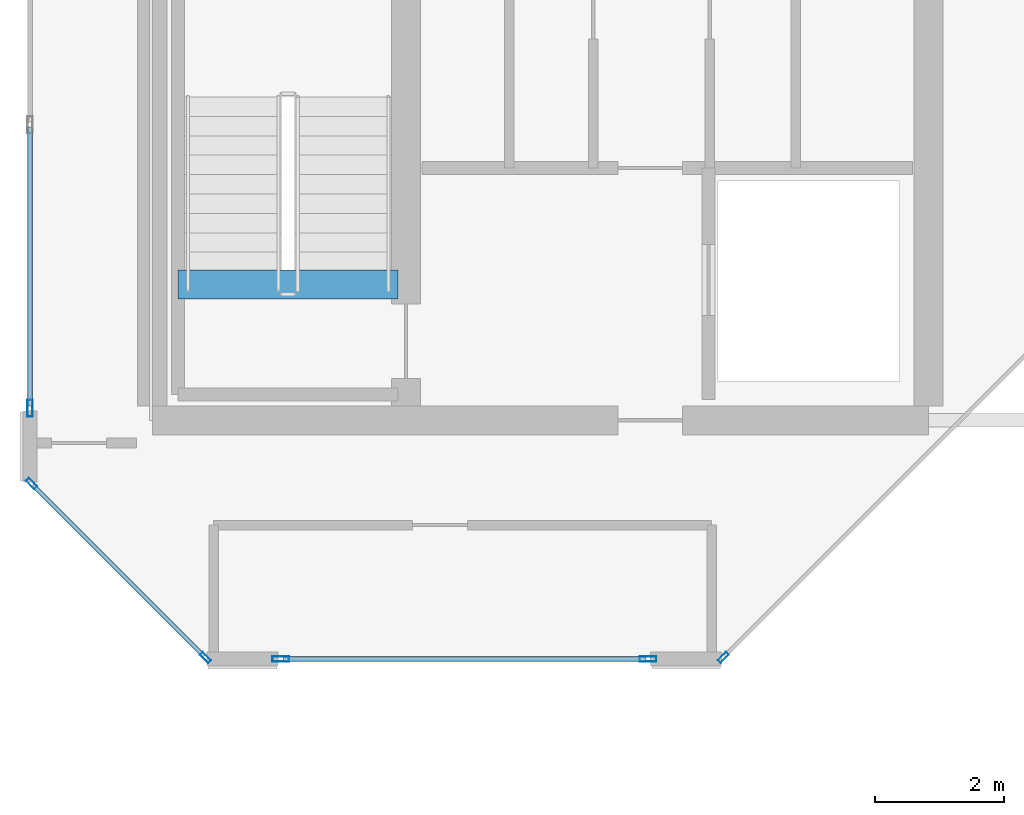
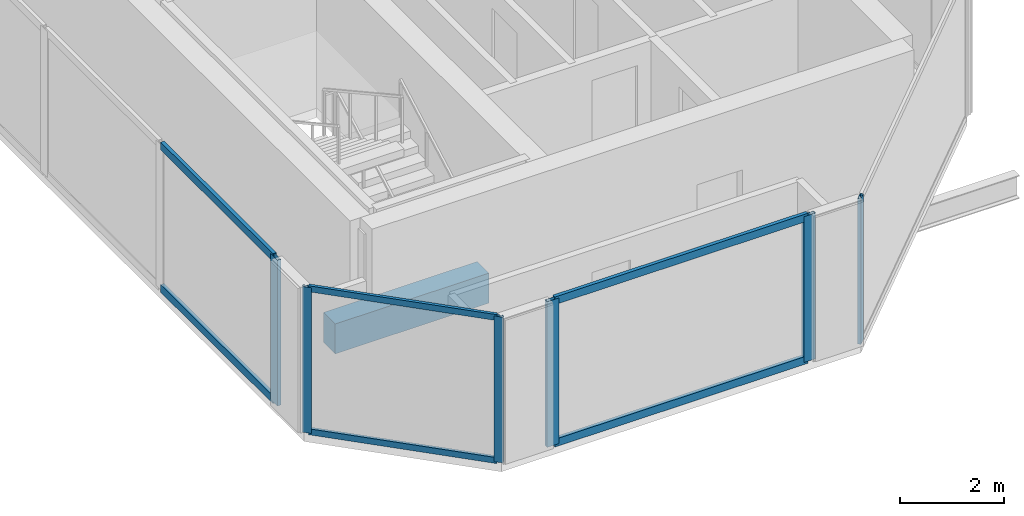
# One storey, part 2 of 30: 12 members, 1 beam, 4 elements without a shape of their own.
"""IFC4 building model written with IfcOpenShell, lengths in metres."""

import ifcopenshell
import ifcopenshell.guid

model = None  # the IFC model being written
_history = None  # IfcOwnerHistory: only IFC2X3 demands one
_inside = {}  # id of a spatial element -> (the spatial element, [elements in it])
_under = {}  # id of a project, library or spatial element -> (it, [spatial elements below it])
_declared = {}  # id of a project -> (the project, [libraries it declares])
_typed = {}  # id of a type object -> (the type object, [elements of that type])
_made_of = {}  # id of a material, layer set ... -> (it, [elements and type objects made of it])


def new_model(schema):
    """Start an empty IFC model of exactly this schema.

    Asked for "IFC4X3", IfcOpenShell would pick the latest addendum, in which some entities
    have other attributes; the version numbers below select the first issue.
    IFC2X3 requires an IfcOwnerHistory on every rooted entity: one is made here for all.
    """
    global model, _history
    if schema == "IFC4X3":
        model = ifcopenshell.file(schema_version=(4, 3, 0, 0))
    else:
        model = ifcopenshell.file(schema=schema)
    _inside.clear()
    _under.clear()
    _declared.clear()
    _typed.clear()
    _made_of.clear()
    _history = None
    if model.schema == "IFC2X3":
        org = make("IfcOrganization", Name="unknown")
        user = make(
            "IfcPersonAndOrganization",
            ThePerson=make("IfcPerson", FamilyName="unknown"),
            TheOrganization=org,
        )
        app = make(
            "IfcApplication",
            ApplicationDeveloper=org,
            Version="unknown",
            ApplicationFullName="unknown",
            ApplicationIdentifier="unknown",
        )
        _history = make(
            "IfcOwnerHistory",
            OwningUser=user,
            OwningApplication=app,
            ChangeAction="ADDED",
            CreationDate=0,
        )
    return model


def make(cls, **values):
    """One entity of the class cls with the attributes given. An attribute that is None is left unset."""
    return model.create_entity(
        cls, **{name: value for name, value in values.items() if value is not None}
    )


def rooted(cls, **values):
    """An entity with a GlobalId (a new one), such as an element, a storey or a relation."""
    return make(cls, GlobalId=ifcopenshell.guid.new(), OwnerHistory=_history, **values)


def si_unit(unit_type, name, prefix=None):
    """IfcSIUnit, for example si_unit("LENGTHUNIT", "METRE", prefix="MILLI")."""
    return make("IfcSIUnit", UnitType=unit_type, Prefix=prefix, Name=name)


def assignment(units):
    """IfcUnitAssignment: the units of a project."""
    return None if units is None else make("IfcUnitAssignment", Units=units)


def point(xyz):
    """IfcCartesianPoint."""
    return None if xyz is None else make("IfcCartesianPoint", Coordinates=xyz)


def direction(xyz):
    """IfcDirection."""
    return None if xyz is None else make("IfcDirection", DirectionRatios=xyz)


def frame(location, z_axis=None, x_axis=None):
    """IfcAxis2Placement3D, a coordinate frame: its origin and axes. An axis left out is left unset."""
    return make(
        "IfcAxis2Placement3D",
        Location=point(location),
        Axis=direction(z_axis),
        RefDirection=direction(x_axis),
    )


def frame_2d(location, x_axis=None):
    """IfcAxis2Placement2D, a coordinate frame in the plane: its origin and x axis."""
    return make(
        "IfcAxis2Placement2D", Location=point(location), RefDirection=direction(x_axis)
    )


def origin():
    """The frame at (0, 0, 0) with its axes left unset."""
    return frame((0.0, 0.0, 0.0))


def origin_2d():
    """The frame at (0, 0) in the plane with its x axis left unset."""
    return frame_2d((0.0, 0.0))


def place(relative_to, where):
    """IfcLocalPlacement: puts the frame where relative to a parent placement (None: the world)."""
    return make(
        "IfcLocalPlacement", PlacementRelTo=relative_to, RelativePlacement=where
    )


def context(
    kind, dimensions, precision=None, world=None, true_north=None, identifier=None
):
    """IfcGeometricRepresentationContext, for example the 3D "Model" context."""
    return make(
        "IfcGeometricRepresentationContext",
        ContextIdentifier=identifier,
        ContextType=kind,
        CoordinateSpaceDimension=dimensions,
        Precision=precision,
        WorldCoordinateSystem=world,
        TrueNorth=true_north,
    )


def subcontext(parent, identifier, kind, view, scale=None):
    """IfcGeometricRepresentationSubContext, for example "Body" below "Model"."""
    return make(
        "IfcGeometricRepresentationSubContext",
        ContextIdentifier=identifier,
        ContextType=kind,
        ParentContext=parent,
        TargetScale=scale,
        TargetView=view,
    )


def project(units=None, contexts=None):
    """IfcProject with its units and contexts."""
    return rooted(
        "IfcProject",
        Name="project",
        RepresentationContexts=contexts,
        UnitsInContext=assignment(units),
    )


def spatial(cls, under=None, at=None, **own):
    """A site, building, storey or space (cls), placed at a placement, below another one or the project."""
    s = rooted(cls, ObjectPlacement=at, **own)
    if under is not None:
        _under.setdefault(under.id(), (under, []))[1].append(s)
    return s


def profile(cls, at=None, kind="AREA", **sizes):
    """A parametric profile (cls). Its sizes go by their IFC names, for example OverallWidth=200.0."""
    return make(cls, ProfileType=kind, Position=at, **sizes)


def rectangle(**sizes):
    """IfcRectangleProfileDef."""
    return profile("IfcRectangleProfileDef", **sizes)


def hollow_rectangle(**sizes):
    """IfcRectangleHollowProfileDef."""
    return profile("IfcRectangleHollowProfileDef", **sizes)


def extrude(swept, where, along, depth):
    """IfcExtrudedAreaSolid: the profile swept, set in the frame where, extruded along a direction by depth."""
    return make(
        "IfcExtrudedAreaSolid",
        SweptArea=swept,
        Position=where,
        ExtrudedDirection=direction(along),
        Depth=depth,
    )


def shape(context_of_items, identifier, shape_type, items):
    """IfcShapeRepresentation: the items that make up one representation, for example the "Body"."""
    return make(
        "IfcShapeRepresentation",
        ContextOfItems=context_of_items,
        RepresentationIdentifier=identifier,
        RepresentationType=shape_type,
        Items=items,
    )


def material(Name=None, Category=None):
    """IfcMaterial."""
    return make("IfcMaterial", Name=Name, Category=Category)


def layer(
    of_material, thickness, ventilated=None, Name=None, Category=None, Priority=None
):
    """IfcMaterialLayer: one layer of a wall or slab, of a material (None: an air gap)."""
    return make(
        "IfcMaterialLayer",
        Material=of_material,
        LayerThickness=thickness,
        IsVentilated=ventilated,
        Name=Name,
        Category=Category,
        Priority=Priority,
    )


def layer_set(layers, Name=None):
    """IfcMaterialLayerSet."""
    return make("IfcMaterialLayerSet", MaterialLayers=layers, LayerSetName=Name)


def material_profile(
    of_material, cross_section, Name=None, Category=None, Priority=None
):
    """IfcMaterialProfile: a cross section and its material."""
    return make(
        "IfcMaterialProfile",
        Name=Name,
        Material=of_material,
        Profile=cross_section,
        Priority=Priority,
        Category=Category,
    )


def profile_set(profiles, Name=None, composite=None):
    """IfcMaterialProfileSet."""
    return make(
        "IfcMaterialProfileSet",
        Name=Name,
        MaterialProfiles=profiles,
        CompositeProfile=composite,
    )


def made_of(thing, what):
    """Note that an element or type object is made of a material, layer set ...; save() writes the relation."""
    if what is not None:
        _made_of.setdefault(what.id(), (what, []))[1].append(thing)
    return thing


def type_object(cls, material=None, **own):
    """A type object (cls), such as IfcWallType, which elements share."""
    return made_of(rooted(cls, **own), material)


def element(
    cls,
    number,
    at=None,
    inside=None,
    cuts=None,
    type_object=None,
    material=None,
    context=None,
    identifier="Body",
    shape_type=None,
    held_by="IfcProductDefinitionShape",
    body=None,
    shapes=None,
    **own,
):
    """One element of the class cls, such as IfcWall. Its Tag is "e" and its number.

    at: its placement. inside: the storey or other place that contains it. cuts: it is an
    opening in that element (IfcRelVoidsElement). A single representation is given by context,
    identifier, shape_type and body (its items); several are given by shapes. held_by: the class
    of the entity that holds the representations. save() writes the other relations.
    """
    e = rooted(cls, Tag="e%d" % number, ObjectPlacement=at, **own)
    if body is not None:
        shapes = [shape(context, identifier, shape_type, body)]
    if shapes is not None:
        e.Representation = make(held_by, Representations=shapes)
    if inside is not None:
        _inside.setdefault(inside.id(), (inside, []))[1].append(e)
    if cuts is not None:
        rooted(
            "IfcRelVoidsElement", RelatingBuildingElement=cuts, RelatedOpeningElement=e
        )
    if type_object is not None:
        _typed.setdefault(type_object.id(), (type_object, []))[1].append(e)
    return made_of(e, material)


def aggregate(whole, parts):
    """IfcRelAggregates: a whole, such as a stair, and the parts it consists of."""
    return rooted("IfcRelAggregates", RelatingObject=whole, RelatedObjects=parts)


def save(model, path):
    """Write the relations noted so far, then the file.

    IfcRelAggregates (storeys below a building ...), IfcRelContainedInSpatialStructure (elements
    in a storey), IfcRelDefinesByType, IfcRelAssociatesMaterial and IfcRelDeclares: one each for
    every whole, place, type object, material and project.
    """
    for whole, parts in _under.values():
        aggregate(whole, parts)
    for where, things in _inside.values():
        rooted(
            "IfcRelContainedInSpatialStructure",
            RelatedElements=things,
            RelatingStructure=where,
        )
    for kind, things in _typed.values():
        rooted("IfcRelDefinesByType", RelatedObjects=things, RelatingType=kind)
    for what, things in _made_of.values():
        rooted("IfcRelAssociatesMaterial", RelatedObjects=things, RelatingMaterial=what)
    for by, libraries in _declared.values():
        rooted("IfcRelDeclares", RelatingContext=by, RelatedDefinitions=libraries)
    model.write(path)


model = new_model("IFC4")

# Units and contexts
model_context = context("Model", 3, precision=1e-05, world=origin(), true_north=direction((0.0, 1.0)))
body_context = subcontext(model_context, "Body", "Model", "MODEL_VIEW")
ifc_project = project(units=[si_unit("LENGTHUNIT", "METRE"), si_unit("AREAUNIT", "SQUARE_METRE"), si_unit("VOLUMEUNIT", "CUBIC_METRE"), si_unit("PLANEANGLEUNIT", "RADIAN"), si_unit("MASSUNIT", "GRAM", prefix="KILO")], contexts=[model_context])

# Site, building, storey
site_placement = place(None, origin())
site = spatial("IfcSite", under=ifc_project, at=site_placement, CompositionType="ELEMENT")
building_placement = place(site_placement, origin())
building = spatial("IfcBuilding", under=site, at=building_placement, Name="Tanjung Sevakor Pilgrim Tower", CompositionType="ELEMENT")
storey_placement = place(building_placement, frame((0.0, 0.0, 253.43994140625)))
storey = spatial("IfcBuildingStorey", under=building, at=storey_placement, Name="L71", CompositionType="ELEMENT", Elevation=253.43994140625)

# Beam
ifc_material_1 = material(Name="Concrete C60/75", Category="concrete")
ifc_material_profile_1 = material_profile(ifc_material_1, rectangle(XDim=0.449951171875, YDim=0.699951171875, at=origin_2d()))
ifc_profile_set_1 = profile_set([ifc_material_profile_1], Name="Concrete C60/75")
beam_type = type_object("IfcBeamType", Name="BM-B-LN3-RC-BM_450x700", PredefinedType="LINTEL", material=ifc_profile_set_1)
beam_placement = place(storey_placement, frame((24.39990234375, 26.699951171875, -0.349853515625), z_axis=(1.0, 0.0, 0.0), x_axis=(0.0, 1.0, 0.0)))
element("IfcBeam", 1, at=beam_placement, inside=storey, type_object=beam_type, Name="L71 TS-W1 Stair Threshold Beam", PredefinedType="LINTEL", context=body_context, shape_type="SweptSolid", body=[
    extrude(rectangle(XDim=0.449951171875, YDim=0.699951171875, at=origin_2d()), origin(), (0.0, 0.0, 1.0), 3.400146484375),
])

# Curtain wall, member
ifc_material_2 = material(Name="Aluminium 6063-T6 and Low-E Glass", Category="aluminium")
ifc_layer_1 = layer(ifc_material_2, 0.179931640625)
ifc_layer_set_1 = layer_set([ifc_layer_1], Name="CW-SYS-CHAM")
curtain_wall_type_1 = type_object("IfcCurtainWallType", Name="CW-SYS-CHAM", PredefinedType="NOTDEFINED", material=ifc_layer_set_1)
curtain_wall_1_placement = place(storey_placement, origin())
curtain_wall_1 = element("IfcCurtainWall", 2, at=curtain_wall_1_placement, inside=storey, type_object=curtain_wall_type_1, Name="L71 Curtain Wall CW-CHM-L71-WEST-1", PredefinedType="NOTDEFINED")
ifc_material_3 = material(Name="Aluminium 6063-T6", Category="aluminium")
ifc_material_profile_2 = material_profile(ifc_material_3, hollow_rectangle(XDim=0.06494140625, YDim=0.179931640625, WallThickness=0.00390625, at=origin_2d()))
ifc_profile_set_2 = profile_set([ifc_material_profile_2], Name="Aluminium 6063-T6")
member_type_1 = type_object("IfcMemberType", Name="TYPE-CWM-1", PredefinedType="MULLION", material=ifc_profile_set_2)
member_1_placement = place(storey_placement, frame((32.827392578125, 20.932861328125, 0.0), z_axis=(0.0, 0.0, 1.0), x_axis=(-0.707106781187, 0.707106781187, 0.0)))
member_1 = element("IfcMember", 3, at=member_1_placement, type_object=member_type_1, Name="CW-CHM mullion 1", PredefinedType="MULLION", context=body_context, shape_type="SweptSolid", body=[
    extrude(hollow_rectangle(XDim=0.06494140625, YDim=0.179931640625, WallThickness=0.00390625, at=origin_2d()), origin(), (0.0, 0.0, 1.0), 3.41015625),
])
aggregate(curtain_wall_1, [member_1])

# Curtain wall, members
curtain_wall_2_placement = place(storey_placement, origin())
curtain_wall_2 = element("IfcCurtainWall", 4, at=curtain_wall_2_placement, inside=storey, type_object=curtain_wall_type_1, Name="L71 Curtain Wall CW-CHM-L71-WEST-7", PredefinedType="NOTDEFINED")
member_2_placement = place(storey_placement, frame((22.133056640625, 23.62255859375, 0.0), z_axis=(0.0, 0.0, 1.0), x_axis=(0.707106781187, 0.707106781187, 0.0)))
member_2 = element("IfcMember", 5, at=member_2_placement, type_object=member_type_1, Name="CW-CHM mullion 1", PredefinedType="MULLION", context=body_context, shape_type="SweptSolid", body=[
    extrude(hollow_rectangle(XDim=0.06494140625, YDim=0.179931640625, WallThickness=0.00390625, at=origin_2d()), origin(), (0.0, 0.0, 1.0), 3.41015625),
])
member_3_placement = place(storey_placement, frame((24.822509765625, 20.932861328125, 0.0), z_axis=(0.0, 0.0, 1.0), x_axis=(0.707106781187, 0.707106781187, 0.0)))
member_3 = element("IfcMember", 6, at=member_3_placement, type_object=member_type_1, Name="CW-CHM mullion 2", PredefinedType="MULLION", context=body_context, shape_type="SweptSolid", body=[
    extrude(hollow_rectangle(XDim=0.06494140625, YDim=0.179931640625, WallThickness=0.00390625, at=origin_2d()), origin(), (0.0, 0.0, 1.0), 3.41015625),
])

ifc_material_4 = material(Name="Aluminium 6063-T6 and Low-E Glass", Category="aluminium")
ifc_layer_2 = layer(ifc_material_4, 0.199951171875)
ifc_layer_set_2 = layer_set([ifc_layer_2], Name="CW-SYS-CRNW")
curtain_wall_type_2 = type_object("IfcCurtainWallType", Name="CW-SYS-CRNW", PredefinedType="NOTDEFINED", material=ifc_layer_set_2)
curtain_wall_3_placement = place(storey_placement, origin())
curtain_wall_3 = element("IfcCurtainWall", 7, at=curtain_wall_3_placement, inside=storey, type_object=curtain_wall_type_2, Name="L71 Curtain Wall CW-CRN-L71-WEST-0-1", PredefinedType="NOTDEFINED")
ifc_material_5 = material(Name="Aluminium 6063-T6", Category="aluminium")
ifc_material_profile_3 = material_profile(ifc_material_5, hollow_rectangle(XDim=0.080078125, YDim=0.260009765625, WallThickness=0.0048828125, at=origin_2d()))
ifc_profile_set_3 = profile_set([ifc_material_profile_3], Name="Aluminium 6063-T6")
member_type_2 = type_object("IfcMemberType", Name="TYPE-CWM-3", PredefinedType="MULLION", material=ifc_profile_set_3)
member_4_placement = place(storey_placement, frame((25.985595703125, 20.909912109375, 0.0), z_axis=(0.0, 0.0, 1.0), x_axis=(0.0, 1.0, 0.0)))
member_4 = element("IfcMember", 8, at=member_4_placement, type_object=member_type_2, Name="CW-CRW mullion 1", PredefinedType="MULLION", context=body_context, shape_type="SweptSolid", body=[
    extrude(hollow_rectangle(XDim=0.080078125, YDim=0.260009765625, WallThickness=0.0048828125, at=origin_2d()), origin(), (0.0, 0.0, 1.0), 3.41015625),
])
member_5_placement = place(storey_placement, frame((31.664306640625, 20.909912109375, 0.0), z_axis=(0.0, 0.0, 1.0), x_axis=(0.0, 1.0, 0.0)))
member_5 = element("IfcMember", 9, at=member_5_placement, type_object=member_type_2, Name="CW-CRW mullion 2", PredefinedType="MULLION", context=body_context, shape_type="SweptSolid", body=[
    extrude(hollow_rectangle(XDim=0.080078125, YDim=0.260009765625, WallThickness=0.0048828125, at=origin_2d()), origin(), (0.0, 0.0, 1.0), 3.41015625),
])

# Curtain wall, member
curtain_wall_4_placement = place(storey_placement, origin())
curtain_wall_4 = element("IfcCurtainWall", 10, at=curtain_wall_4_placement, inside=storey, type_object=curtain_wall_type_2, Name="L71 Curtain Wall CW-CRN-L71-WEST-6-1", PredefinedType="NOTDEFINED")
member_6_placement = place(storey_placement, frame((22.110107421875, 24.78564453125, 0.0), z_axis=(0.0, 0.0, 1.0), x_axis=(1.0, 0.0, 0.0)))
member_6 = element("IfcMember", 11, at=member_6_placement, type_object=member_type_2, Name="CW-CRW mullion 5", PredefinedType="MULLION", context=body_context, shape_type="SweptSolid", body=[
    extrude(hollow_rectangle(XDim=0.080078125, YDim=0.260009765625, WallThickness=0.0048828125, at=origin_2d()), origin(), (0.0, 0.0, 1.0), 3.41015625),
])

# Member
ifc_material_6 = material(Name="Aluminium 6063-T6", Category="aluminium")
ifc_material_profile_4 = material_profile(ifc_material_6, hollow_rectangle(XDim=0.06494140625, YDim=0.139892578125, WallThickness=0.00390625, at=origin_2d()))
ifc_profile_set_4 = profile_set([ifc_material_profile_4], Name="Aluminium 6063-T6")
member_type_3 = type_object("IfcMemberType", Name="TYPE-CWT-1", PredefinedType="USERDEFINED", material=ifc_profile_set_4)
member_7_placement = place(storey_placement, frame((22.156005859375, 23.599609375, 0.032470703125), z_axis=(0.707106781187, -0.707106781187, 0.0), x_axis=(0.707106781187, 0.707106781187, 0.0)))
member_7 = element("IfcMember", 12, at=member_7_placement, type_object=member_type_3, Name="CW-CHM transom 1.1", ObjectType="TRANSOM", PredefinedType="USERDEFINED", context=body_context, shape_type="SweptSolid", body=[
    extrude(hollow_rectangle(XDim=0.06494140625, YDim=0.139892578125, WallThickness=0.00390625, at=origin_2d()), origin(), (0.0, 0.0, 1.0), 3.738525390625),
])

member_8_placement = place(storey_placement, frame((22.156005859375, 23.599609375, 3.37744140625), z_axis=(0.707106781187, -0.707106781187, 0.0), x_axis=(0.707106781187, 0.707106781187, 0.0)))
member_8 = element("IfcMember", 13, at=member_8_placement, type_object=member_type_3, Name="CW-CHM transom 1.2", ObjectType="TRANSOM", PredefinedType="USERDEFINED", context=body_context, shape_type="SweptSolid", body=[
    extrude(hollow_rectangle(XDim=0.06494140625, YDim=0.139892578125, WallThickness=0.00390625, at=origin_2d()), origin(), (0.0, 0.0, 1.0), 3.738525390625),
])

aggregate(curtain_wall_2, [member_2, member_3, member_7, member_8])

ifc_material_7 = material(Name="Aluminium 6063-T6", Category="aluminium")
ifc_material_profile_5 = material_profile(ifc_material_7, hollow_rectangle(XDim=0.080078125, YDim=0.179931640625, WallThickness=0.0048828125, at=origin_2d()))
ifc_profile_set_5 = profile_set([ifc_material_profile_5], Name="Aluminium 6063-T6")
member_type_4 = type_object("IfcMemberType", Name="TYPE-CWT-3", PredefinedType="USERDEFINED", material=ifc_profile_set_5)
member_9_placement = place(storey_placement, frame((26.025634765625, 20.909912109375, 0.0400390625), z_axis=(1.0, 0.0, 0.0), x_axis=(0.0, 1.0, 0.0)))
member_9 = element("IfcMember", 14, at=member_9_placement, type_object=member_type_4, Name="CW-CRW transom 1.1", ObjectType="TRANSOM", PredefinedType="USERDEFINED", context=body_context, shape_type="SweptSolid", body=[
    extrude(hollow_rectangle(XDim=0.080078125, YDim=0.179931640625, WallThickness=0.0048828125, at=origin_2d()), origin(), (0.0, 0.0, 1.0), 5.598876953125),
])

member_10_placement = place(storey_placement, frame((26.025634765625, 20.909912109375, 3.3701171875), z_axis=(1.0, 0.0, 0.0), x_axis=(0.0, 1.0, 0.0)))
member_10 = element("IfcMember", 15, at=member_10_placement, type_object=member_type_4, Name="CW-CRW transom 1.2", ObjectType="TRANSOM", PredefinedType="USERDEFINED", context=body_context, shape_type="SweptSolid", body=[
    extrude(hollow_rectangle(XDim=0.080078125, YDim=0.179931640625, WallThickness=0.0048828125, at=origin_2d()), origin(), (0.0, 0.0, 1.0), 5.598876953125),
])

aggregate(curtain_wall_3, [member_4, member_5, member_9, member_10])

member_11_placement = place(storey_placement, frame((22.110107421875, 29.1328125, 0.0400390625), z_axis=(0.0, -1.0, 0.0), x_axis=(1.0, 0.0, 0.0)))
member_11 = element("IfcMember", 16, at=member_11_placement, type_object=member_type_4, Name="CW-CRW transom 4.1", ObjectType="TRANSOM", PredefinedType="USERDEFINED", context=body_context, shape_type="SweptSolid", body=[
    extrude(hollow_rectangle(XDim=0.080078125, YDim=0.179931640625, WallThickness=0.0048828125, at=origin_2d()), origin(), (0.0, 0.0, 1.0), 4.30712890625),
])

member_12_placement = place(storey_placement, frame((22.110107421875, 29.1328125, 3.3701171875), z_axis=(0.0, -1.0, 0.0), x_axis=(1.0, 0.0, 0.0)))
member_12 = element("IfcMember", 17, at=member_12_placement, type_object=member_type_4, Name="CW-CRW transom 4.2", ObjectType="TRANSOM", PredefinedType="USERDEFINED", context=body_context, shape_type="SweptSolid", body=[
    extrude(hollow_rectangle(XDim=0.080078125, YDim=0.179931640625, WallThickness=0.0048828125, at=origin_2d()), origin(), (0.0, 0.0, 1.0), 4.30712890625),
])

aggregate(curtain_wall_4, [member_6, member_11, member_12])

save(model, "model.ifc")
